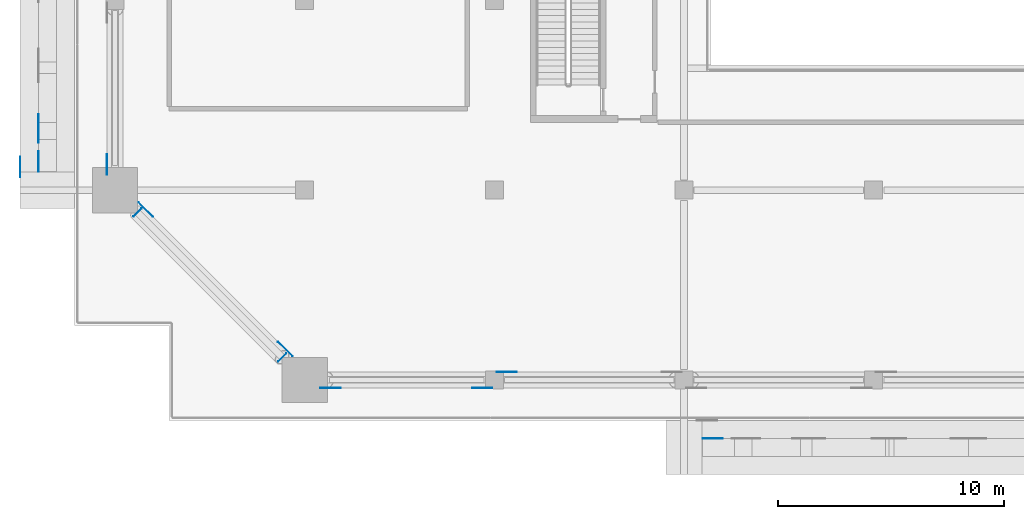
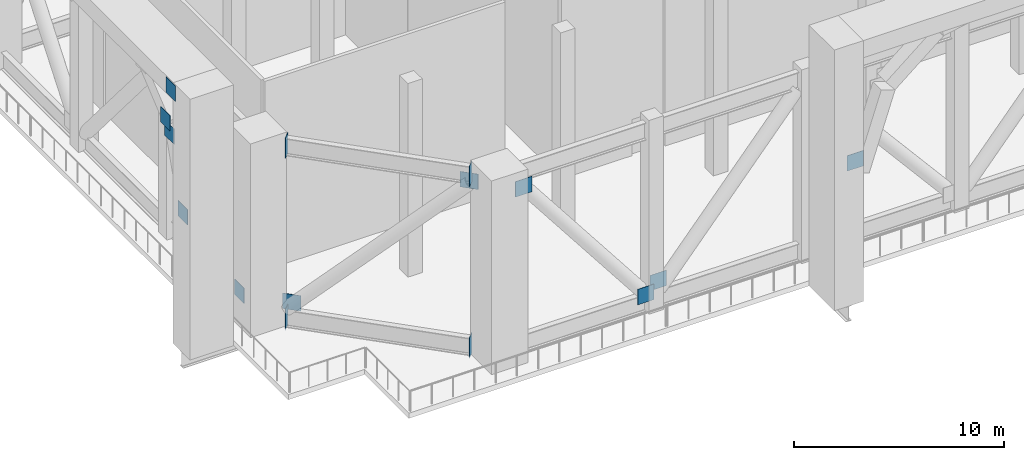
# One storey, part 10 of 19: 15 discrete accessories.
"""IFC4 building model written with IfcOpenShell, lengths in metres."""

from ifc_helpers import new_model, si_unit, direction, frame, origin, origin_2d, place, context, subcontext, project, spatial, rectangle, extrude, element, save


model = new_model("IFC4")

# Units and contexts
model_context = context("Model", 3, precision=1e-05, world=origin(), true_north=direction((0.0, 1.0)))
body_context = subcontext(model_context, "Body", "Model", "MODEL_VIEW")
ifc_project = project(units=[si_unit("LENGTHUNIT", "METRE"), si_unit("AREAUNIT", "SQUARE_METRE"), si_unit("VOLUMEUNIT", "CUBIC_METRE"), si_unit("PLANEANGLEUNIT", "RADIAN"), si_unit("MASSUNIT", "GRAM", prefix="KILO")], contexts=[model_context])

# Site, building, storey
site_placement = place(None, origin())
site = spatial("IfcSite", under=ifc_project, at=site_placement, CompositionType="ELEMENT")
building_placement = place(site_placement, origin())
building = spatial("IfcBuilding", under=site, at=building_placement, Name="Saffron Gate Tower", CompositionType="ELEMENT")
storey_placement = place(building_placement, frame((0.0, 0.0, 84.0)))
storey = spatial("IfcBuildingStorey", under=building, at=storey_placement, Name="L20", CompositionType="ELEMENT", Elevation=84.0)

# Discrete accessories
for number, where, z_axis, x_axis, name in (
    (1, (49.444580078125, 41.33837890625, 0.7275390625), (0.0, 0.0, 1.0), (0.0, 1.0, 0.0), "GUSSET PLATE"),
    (2, (66.0615234375, 31.444580078125, 0.7275390625), (0.0, 0.0, 1.0), (-1.0, 0.0, 0.0), "GUSSET PLATE"),
    (3, (59.33837890625, 31.444580078125, 9.342529296875), (0.0, 0.0, 1.0), (-1.0, 0.0, 0.0), "GUSSET PLATE"),
    (4, (67.1455078125, 32.155517578125, 0.7216796875), (0.0, 0.0, 1.0), (1.0, 0.0, 0.0), "GUSSET PLATE"),
    (5, (51.164306640625, 39.33837890625, 0.70849609375), (0.0, 0.0, 1.0), (0.707106781187, -0.707106781187, 0.0), "GUSSET PLATE"),
    (6, (57.33837890625, 33.164306640625, 9.361572265625), (0.0, 0.0, 1.0), (0.707106781187, -0.707106781187, 0.0), "GUSSET PLATE"),
):
    element("IfcDiscreteAccessory", number, at=place(storey_placement, frame(where, z_axis=z_axis, x_axis=x_axis)), inside=storey, Name=name, ObjectType="GUSSET PLATE", PredefinedType="USERDEFINED", context=body_context, shape_type="SweptSolid", body=[
        extrude(rectangle(XDim=0.89990234375, YDim=0.02001953125, at=origin_2d()), origin(), (0.0, 0.0, 1.0), 0.89990234375),
    ])
for number, where, z_axis, x_axis, name in (
    (7, (76.270263671875, 29.199951171875, 6.28125), (0.0, 0.0, 1.0), (1.0, 0.0, 0.0), "EMBEDDED PLATE"),
    (8, (46.39990234375, 41.47021484375, 6.28125), (0.0, 0.0, 1.0), (0.0, 1.0, 0.0), "EMBEDDED PLATE"),
    (9, (46.39990234375, 42.755126953125, 10.19677734375), (0.0, 0.0, 1.0), (0.0, 1.0, 0.0), "EMBEDDED PLATE"),
    (10, (46.39990234375, 43.124267578125, 10.737548828125), (0.0, 0.0, 1.0), (0.0, 1.0, 0.0), "EMBEDDED PLATE"),
    (11, (45.60009765625, 41.22509765625, 13.900146484375), (0.0, 0.0, 1.0), (0.0, 1.0, 0.0), "EMBEDDED PLATE"),
):
    element("IfcDiscreteAccessory", number, at=place(storey_placement, frame(where, z_axis=z_axis, x_axis=x_axis)), inside=storey, Name=name, ObjectType="EMBEDDED PLATE", PredefinedType="USERDEFINED", context=body_context, shape_type="SweptSolid", body=[
        extrude(rectangle(XDim=0.89990234375, YDim=0.02001953125, at=origin_2d()), origin(), (0.0, 0.0, 1.0), 0.89990234375),
    ])
for number, where, z_axis, x_axis, name in (
    (12, (57.20703125, 32.79296875, 9.8701171875), (0.0, 0.0, 1.0), (0.707106781187, -0.707106781187, 0.0), "BELT TRUSS END PLATE"),
    (13, (50.79296875, 39.20703125, 9.8701171875), (0.0, 0.0, 1.0), (-0.707106781187, 0.707106781187, 0.0), "BELT TRUSS END PLATE"),
    (14, (57.20703125, 32.79296875, -0.10009765625), (0.0, 0.0, 1.0), (0.707106781187, -0.707106781187, 0.0), "BELT TRUSS END PLATE"),
    (15, (50.79296875, 39.20703125, -0.10009765625), (0.0, 0.0, 1.0), (-0.707106781187, 0.707106781187, 0.0), "BELT TRUSS END PLATE"),
):
    element("IfcDiscreteAccessory", number, at=place(storey_placement, frame(where, z_axis=z_axis, x_axis=x_axis)), inside=storey, Name=name, ObjectType="BELT TRUSS END PLATE", PredefinedType="USERDEFINED", context=body_context, shape_type="SweptSolid", body=[
        extrude(rectangle(XDim=0.02001953125, YDim=0.5, at=origin_2d()), origin(), (0.0, 0.0, 1.0), 1.199951171875),
    ])

save(model, "model.ifc")
